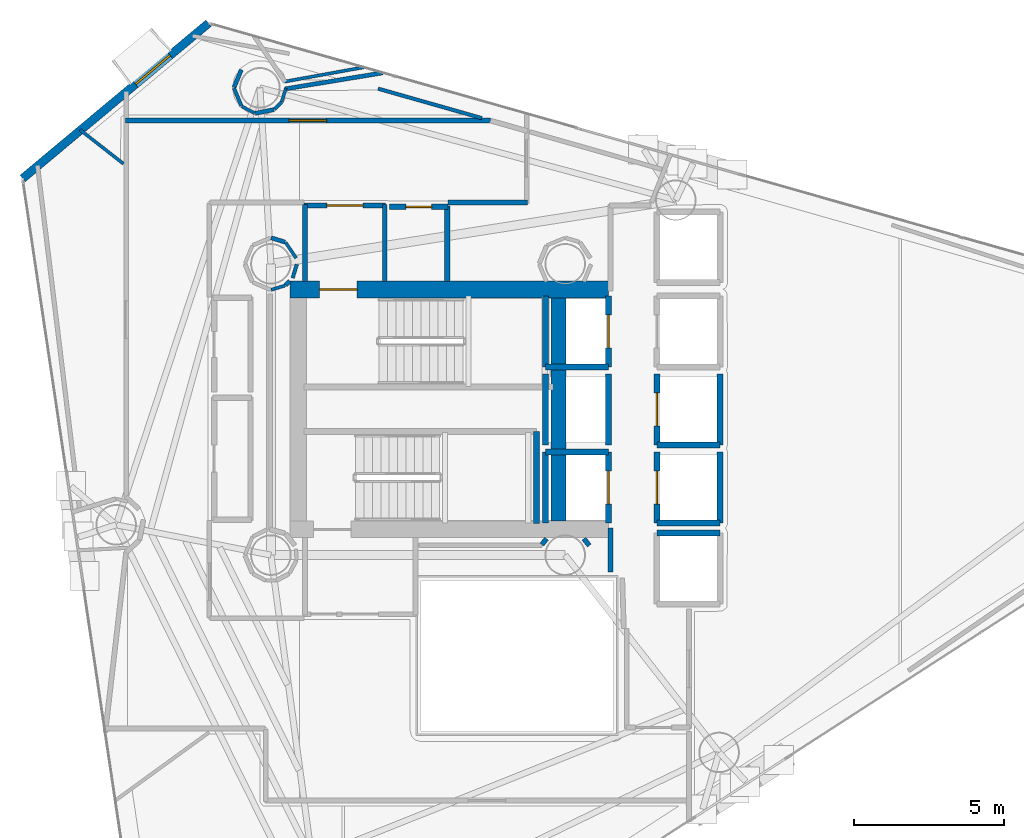
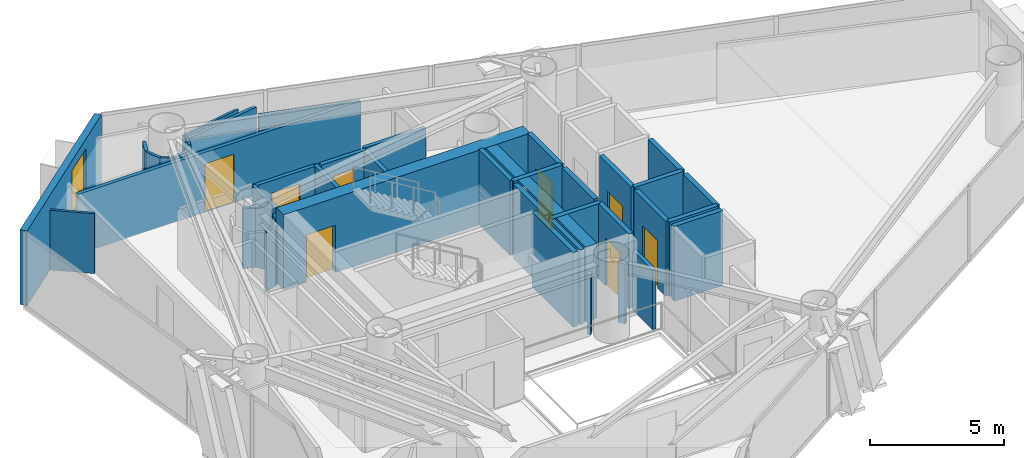
# One storey, part 19 of 22: 44 walls, 8 doors, 1 window, 9 openings.
"""IFC4 building model written with IfcOpenShell, lengths in metres."""

from ifc_helpers import new_model, si_unit, direction, frame, frame_2d, origin, place, context, subcontext, project, spatial, rectangle, extrude, material, layer, layer_set, type_object, element, fill, save


model = new_model("IFC4")

# Units and contexts
model_context = context("Model", 3, precision=1e-05, world=origin(), true_north=direction((0.0, 1.0)))
body_context = subcontext(model_context, "Body", "Model", "MODEL_VIEW")
ifc_project = project(units=[si_unit("LENGTHUNIT", "METRE"), si_unit("AREAUNIT", "SQUARE_METRE"), si_unit("VOLUMEUNIT", "CUBIC_METRE"), si_unit("PLANEANGLEUNIT", "RADIAN"), si_unit("MASSUNIT", "GRAM", prefix="KILO")], contexts=[model_context])

# Site, building, storey
site_placement = place(None, origin())
site = spatial("IfcSite", under=ifc_project, at=site_placement, CompositionType="ELEMENT")
building_placement = place(site_placement, origin())
building = spatial("IfcBuilding", under=site, at=building_placement, Name="Qianvela Tower", CompositionType="ELEMENT")
storey_placement = place(building_placement, frame((0.0, 0.0, 180.89990234375)))
storey = spatial("IfcBuildingStorey", under=building, at=storey_placement, Name="L46", CompositionType="ELEMENT", Elevation=180.89990234375)

# Wall, opening, window
ifc_material_1 = material(Name="Terracotta Cladding on Concrete C40", Category="masonry")
ifc_layer_1 = layer(ifc_material_1, 0.280029296875)
ifc_layer_set_1 = layer_set([ifc_layer_1], Name="Terracotta Cladding on Concrete C40")
wall_type_1 = type_object("IfcWallType", Name="TERRACOTTA-WALL-280", PredefinedType="SOLIDWALL", material=ifc_layer_set_1)
wall_1_placement = place(storey_placement, frame((26.521728515625, 41.5615234375, 0.0), z_axis=(0.0, 0.0, 1.0), x_axis=(-0.767540623089, -0.6410003057, 0.0)))
wall_1 = element("IfcWall", 1, at=wall_1_placement, inside=storey, type_object=wall_type_1, Name="L46 Terracotta Chamfer Facet Wall 3", PredefinedType="SOLIDWALL", context=body_context, shape_type="SweptSolid", body=[
    extrude(rectangle(XDim=8.060791015625, YDim=0.280029296875, at=frame_2d((4.0302734375, 0.0))), origin(), (0.0, 0.0, 1.0), 3.400146484375),
])
opening_1_placement = place(wall_1_placement, frame((1.668212890625, 0.0, 0.85009765625)))
opening_1 = element("IfcOpeningElement", 2, at=opening_1_placement, cuts=wall_1, Name="Opening W-02", PredefinedType="OPENING", context=body_context, shape_type="SweptSolid", body=[
    extrude(rectangle(XDim=1.5, YDim=2.10009765625, at=frame_2d((0.75, 1.050048828125))), frame((0.0, 0.14990234375, 0.0), z_axis=(0.0, -1.0, 0.0), x_axis=(1.0, 0.0, 0.0)), (0.0, 0.0, 1.0), 0.300048828125),
])
ifc_material_2 = material(Name="Thermally Broken Aluminium and Low-E Glass", Category="aluminium")
window_type = type_object("IfcWindowType", Name="WIN-TC-1500x2100", PartitioningType="DOUBLE_PANEL_VERTICAL", PredefinedType="WINDOW", material=ifc_material_2)
window_placement = place(opening_1_placement, origin())
window = element("IfcWindow", 3, at=window_placement, inside=storey, type_object=window_type, Name="L46 Chamfer Facet Window 3.1", OverallHeight=2.10009765625, OverallWidth=1.5, PartitioningType="SINGLE_PANEL", PredefinedType="WINDOW", context=body_context, shape_type="SweptSolid", body=[
    extrude(rectangle(XDim=1.5, YDim=2.10009765625, at=frame_2d((0.75, 1.050048828125))), frame((0.0, 0.030029296875, 0.0), z_axis=(0.0, -1.0, 0.0), x_axis=(1.0, 0.0, 0.0)), (0.0, 0.0, 1.0), 0.06005859375),
])
fill(opening_1, window)

# Wall, opening, door
ifc_material_3 = material(Name="Concrete C60", Category="concrete")
ifc_layer_2 = layer(ifc_material_3, 0.550048828125)
ifc_layer_set_2 = layer_set([ifc_layer_2], Name="Concrete C60")
wall_type_2 = type_object("IfcWallType", Name="WT-CORE-550", PredefinedType="SHEAR", material=ifc_layer_set_2)
wall_2_placement = place(storey_placement, frame((29.22998046875, 32.695068359375, 0.0), z_axis=(0.0, 0.0, 1.0), x_axis=(1.0, 0.0, 0.0)))
wall_2 = element("IfcWall", 4, at=wall_2_placement, inside=storey, type_object=wall_type_2, Name="L46 North Core Shear Wall", PredefinedType="SHEAR", context=body_context, shape_type="SweptSolid", body=[
    extrude(rectangle(XDim=10.6201171875, YDim=0.550048828125, at=frame_2d((5.31005859375, 0.0))), origin(), (0.0, 0.0, 1.0), 3.400146484375),
])
opening_2_placement = place(wall_2_placement, frame((0.9951171875, 0.0, 0.0)))
opening_2 = element("IfcOpeningElement", 5, at=opening_2_placement, cuts=wall_2, Name="Opening D-ST1", PredefinedType="OPENING", context=body_context, shape_type="SweptSolid", body=[
    extrude(rectangle(XDim=1.25, YDim=2.14990234375, at=frame_2d((0.625, 1.074951171875))), frame((0.0, 0.284912109375, 0.0), z_axis=(0.0, -1.0, 0.0), x_axis=(1.0, 0.0, 0.0)), (0.0, 0.0, 1.0), 0.570068359375),
])
ifc_material_4 = material(Name="Galvanised Fire Steel Q355B", Category="steel")
door_type_1 = type_object("IfcDoorType", Name="DT-STAIR-FD90", OperationType="NOTDEFINED", PredefinedType="DOOR", material=ifc_material_4)
door_1_placement = place(opening_2_placement, origin())
door_1 = element("IfcDoor", 6, at=door_1_placement, inside=storey, type_object=door_type_1, Name="L46 Stair ST-1 Exit Door", OperationType="SINGLE_SWING_RIGHT", OverallHeight=2.14990234375, OverallWidth=1.25, PredefinedType="DOOR", context=body_context, shape_type="SweptSolid", body=[
    extrude(rectangle(XDim=1.25, YDim=2.14990234375, at=frame_2d((0.625, 1.074951171875))), frame((0.0, 0.02490234375, 0.0), z_axis=(0.0, -1.0, 0.0), x_axis=(1.0, 0.0, 0.0)), (0.0, 0.0, 1.0), 0.050048828125),
])
fill(opening_2, door_1)

# Walls
wall_3_placement = place(storey_placement, frame((38.179931640625, 24.97998046875, 0.0), z_axis=(0.0, 0.0, 1.0), x_axis=(0.0, 1.0, 0.0)))
element("IfcWall", 7, at=wall_3_placement, inside=storey, type_object=wall_type_2, Name="L46 East Spine Core Shear Wall", PredefinedType="SHEAR", context=body_context, shape_type="SweptSolid", body=[
    extrude(rectangle(XDim=7.43994140625, YDim=0.5, at=frame_2d((3.719970703125, 0.0))), origin(), (0.0, 0.0, 1.0), 3.400146484375),
])
ifc_material_5 = material(Name="Fire-Rated Gypsum and Concrete Block", Category="concrete")
ifc_layer_3 = layer(ifc_material_5, 0.159912109375)
ifc_layer_set_3 = layer_set([ifc_layer_3], Name="Fire-Rated Gypsum and Concrete Block")
wall_type_3 = type_object("IfcWallType", Name="WT-CORR-160", PredefinedType="PARTITIONING", material=ifc_layer_set_3)
wall_4_placement = place(storey_placement, frame((29.73095703125, 32.9580078125, 0.0), z_axis=(0.0, 0.0, 1.0), x_axis=(0.0, 1.0, 0.0)))
element("IfcWall", 8, at=wall_4_placement, inside=storey, type_object=wall_type_3, Name="L46 Partition 2", PredefinedType="PARTITIONING", context=body_context, shape_type="SweptSolid", body=[
    extrude(rectangle(XDim=2.56201171875, YDim=0.159912109375, at=frame_2d((1.281005859375, 0.0))), origin(), (0.0, 0.0, 1.0), 2.72021484375),
])

# Wall, opening, door
wall_5_placement = place(storey_placement, frame((29.699951171875, 35.489013671875, 0.0), z_axis=(0.0, 0.0, 1.0), x_axis=(1.0, 0.0, 0.0)))
wall_5 = element("IfcWall", 9, at=wall_5_placement, inside=storey, type_object=wall_type_3, Name="L46 Partition 3", PredefinedType="PARTITIONING", context=body_context, shape_type="SweptSolid", body=[
    extrude(rectangle(XDim=2.719970703125, YDim=0.159912109375, at=frame_2d((1.35986328125, 0.0))), origin(), (0.0, 0.0, 1.0), 2.72021484375),
])
opening_3_placement = place(wall_5_placement, frame((0.760009765625, 0.0, 0.0)))
opening_3 = element("IfcOpeningElement", 10, at=opening_3_placement, cuts=wall_5, Name="Opening D-LB1", PredefinedType="OPENING", context=body_context, shape_type="SweptSolid", body=[
    extrude(rectangle(XDim=1.199951171875, YDim=2.14990234375, at=frame_2d((0.60009765625, 1.074951171875))), frame((0.0, 0.08984375, 0.0), z_axis=(0.0, -1.0, 0.0), x_axis=(1.0, 0.0, 0.0)), (0.0, 0.0, 1.0), 0.179931640625),
])
ifc_material_6 = material(Name="Glazed Fire-Rated Steel Frame", Category="steel")
door_type_2 = type_object("IfcDoorType", Name="DT-LOBBY-FD90", OperationType="NOTDEFINED", PredefinedType="DOOR", material=ifc_material_6)
door_2_placement = place(opening_3_placement, origin())
door_2 = element("IfcDoor", 11, at=door_2_placement, inside=storey, type_object=door_type_2, Name="L46 Door L46 Firefighting Lobby North to L46 Floor Corridor", OperationType="SINGLE_SWING_RIGHT", OverallHeight=2.14990234375, OverallWidth=1.199951171875, PredefinedType="DOOR", context=body_context, shape_type="SweptSolid", body=[
    extrude(rectangle(XDim=1.199951171875, YDim=2.14990234375, at=frame_2d((0.60009765625, 1.074951171875))), frame((0.0, 0.02490234375, 0.0), z_axis=(0.0, -1.0, 0.0), x_axis=(1.0, 0.0, 0.0)), (0.0, 0.0, 1.0), 0.050048828125),
])
fill(opening_3, door_2)

# Walls
wall_6_placement = place(storey_placement, frame((32.388916015625, 35.52001953125, 0.0), z_axis=(0.0, 0.0, 1.0), x_axis=(0.0, -1.0, 0.0)))
element("IfcWall", 12, at=wall_6_placement, inside=storey, type_object=wall_type_3, Name="L46 Partition 4", PredefinedType="PARTITIONING", context=body_context, shape_type="SweptSolid", body=[
    extrude(rectangle(XDim=2.56201171875, YDim=0.159912109375, at=frame_2d((1.281005859375, 0.0))), origin(), (0.0, 0.0, 1.0), 2.72021484375),
])
wall_7_placement = place(storey_placement, frame((39.910888671875, 23.280029296875, 0.0), z_axis=(0.0, 0.0, 1.0), x_axis=(0.0, 1.0, 0.0)))
element("IfcWall", 13, at=wall_7_placement, inside=storey, type_object=wall_type_3, Name="L46 Partition 10", PredefinedType="PARTITIONING", context=body_context, shape_type="SweptSolid", body=[
    extrude(rectangle(XDim=1.47998046875, YDim=0.159912109375, at=frame_2d((0.739990234375, 0.0))), origin(), (0.0, 0.0, 1.0), 2.72021484375),
])
wall_8_placement = place(storey_placement, frame((39.20166015625, 24.169189453125, 0.0), z_axis=(0.0, 0.0, 1.0), x_axis=(-0.621699046284, 0.783256213413, 0.0)))
element("IfcWall", 14, at=wall_8_placement, inside=storey, type_object=wall_type_3, Name="L46 Partition 43", PredefinedType="PARTITIONING", context=body_context, shape_type="SweptSolid", body=[
    extrude(rectangle(XDim=0.28857421875, YDim=0.159912109375, at=frame_2d((0.144287109375, 0.0))), origin(), (0.0, 0.0, 1.0), 2.72021484375),
])
wall_9_placement = place(storey_placement, frame((37.77783203125, 24.395263671875, 0.0), z_axis=(0.0, 0.0, 1.0), x_axis=(-0.621829236437, -0.783152859097, 0.0)))
element("IfcWall", 15, at=wall_9_placement, inside=storey, type_object=wall_type_3, Name="L46 Partition 46", PredefinedType="PARTITIONING", context=body_context, shape_type="SweptSolid", body=[
    extrude(rectangle(XDim=0.249755859375, YDim=0.159912109375, at=frame_2d((0.125, 0.0))), origin(), (0.0, 0.0, 1.0), 2.72021484375),
])

# Wall, opening, door
wall_10_placement = place(storey_placement, frame((23.75, 38.319091796875, 0.0), z_axis=(0.0, 0.0, 1.0), x_axis=(1.0, 0.0, 0.0)))
wall_10 = element("IfcWall", 16, at=wall_10_placement, inside=storey, type_object=wall_type_3, Name="L46 Partition 50", PredefinedType="PARTITIONING", context=body_context, shape_type="SweptSolid", body=[
    extrude(rectangle(XDim=12.1650390625, YDim=0.159912109375, at=frame_2d((6.08251953125, 0.0))), origin(), (0.0, 0.0, 1.0), 2.72021484375),
])
opening_4_placement = place(wall_10_placement, frame((5.45751953125, 0.0, 0.0)))
opening_4 = element("IfcOpeningElement", 17, at=opening_4_placement, cuts=wall_10, Name="Opening D-LG1", PredefinedType="OPENING", context=body_context, shape_type="SweptSolid", body=[
    extrude(rectangle(XDim=1.25, YDim=2.199951171875, at=frame_2d((0.625, 1.10009765625))), frame((0.0, 0.08984375, 0.0), z_axis=(0.0, -1.0, 0.0), x_axis=(1.0, 0.0, 0.0)), (0.0, 0.0, 1.0), 0.179931640625),
])
ifc_material_7 = material(Name="Anodised Aluminium Acoustic Glass Door", Category="aluminium")
door_type_3 = type_object("IfcDoorType", Name="DT-LOUNGE-1250", OperationType="NOTDEFINED", PredefinedType="DOOR", material=ifc_material_7)
door_3_placement = place(opening_4_placement, origin())
door_3 = element("IfcDoor", 18, at=door_3_placement, inside=storey, type_object=door_type_3, Name="L46 Door Social Sitting Lounge L46-04 to L46 Floor Corridor", OperationType="SINGLE_SWING_LEFT", OverallHeight=2.199951171875, OverallWidth=1.25, PredefinedType="DOOR", context=body_context, shape_type="SweptSolid", body=[
    extrude(rectangle(XDim=1.25, YDim=2.199951171875, at=frame_2d((0.625, 1.10009765625))), frame((0.0, 0.02490234375, 0.0), z_axis=(0.0, -1.0, 0.0), x_axis=(1.0, 0.0, 0.0)), (0.0, 0.0, 1.0), 0.050048828125),
])
fill(opening_4, door_3)

# Walls
wall_11_placement = place(storey_placement, frame((37.14990234375, 35.591064453125, 0.0), z_axis=(0.0, 0.0, 1.0), x_axis=(-1.0, 0.0, 0.0)))
element("IfcWall", 19, at=wall_11_placement, inside=storey, type_object=wall_type_3, Name="L46 Partition 53 seg 1", PredefinedType="PARTITIONING", context=body_context, shape_type="SweptSolid", body=[
    extrude(rectangle(XDim=2.64990234375, YDim=0.159912109375, at=frame_2d((1.324951171875, 0.0))), origin(), (0.0, 0.0, 1.0), 2.72021484375),
])
ifc_material_8 = material(Name="Lightweight Gypsum Room Partition")
ifc_layer_4 = layer(ifc_material_8, 0.10498046875)
ifc_layer_set_4 = layer_set([ifc_layer_4], Name="Lightweight Gypsum Room Partition")
wall_type_4 = type_object("IfcWallType", Name="WT-PART-105", PredefinedType="PARTITIONING", material=ifc_layer_set_4)
wall_12_placement = place(storey_placement, frame((23.689208984375, 36.8828125, 0.0), z_axis=(0.0, 0.0, 1.0), x_axis=(-0.788004213501, 0.615669846188, 0.0)))
element("IfcWall", 20, at=wall_12_placement, inside=storey, type_object=wall_type_4, Name="L46 Partition 102", PredefinedType="PARTITIONING", context=body_context, shape_type="SweptSolid", body=[
    extrude(rectangle(XDim=1.8359375, YDim=0.10498046875, at=frame_2d((0.91796875, 0.0))), origin(), (0.0, 0.0, 1.0), 2.72021484375),
])
wall_13_placement = place(storey_placement, frame((31.685791015625, 40.09326171875, 0.0), z_axis=(0.0, 0.0, 1.0), x_axis=(-0.983955857051, -0.17841208304, 0.0)))
element("IfcWall", 21, at=wall_13_placement, inside=storey, type_object=wall_type_4, Name="L46 Partition 105", PredefinedType="PARTITIONING", context=body_context, shape_type="SweptSolid", body=[
    extrude(rectangle(XDim=2.677978515625, YDim=0.10498046875, at=frame_2d((1.3388671875, 0.0))), origin(), (0.0, 0.0, 1.0), 2.72021484375),
])
wall_14_placement = place(storey_placement, frame((27.6298828125, 38.793212890625, 0.0), z_axis=(0.0, 0.0, 1.0), x_axis=(0.882018256262, -0.471215232798, 0.0)))
element("IfcWall", 22, at=wall_14_placement, inside=storey, type_object=wall_type_4, Name="L46 Partition 111", PredefinedType="PARTITIONING", context=body_context, shape_type="SweptSolid", body=[
    extrude(rectangle(XDim=0.48486328125, YDim=0.10498046875, at=frame_2d((0.242431640625, 0.0))), origin(), (0.0, 0.0, 1.0), 2.72021484375),
])
wall_15_placement = place(storey_placement, frame((28.958984375, 38.93798828125, 0.0), z_axis=(0.0, 0.0, 1.0), x_axis=(0.292866596221, 0.956153312402, 0.0)))
element("IfcWall", 23, at=wall_15_placement, inside=storey, type_object=wall_type_4, Name="L46 Partition 114", PredefinedType="PARTITIONING", context=body_context, shape_type="SweptSolid", body=[
    extrude(rectangle(XDim=0.478515625, YDim=0.10498046875, at=frame_2d((0.2392578125, 0.0))), origin(), (0.0, 0.0, 1.0), 2.72021484375),
])
wall_16_placement = place(storey_placement, frame((29.44140625, 33.74072265625, 0.0), z_axis=(0.0, 0.0, 1.0), x_axis=(-0.559619584068, 0.828749613048, 0.0)))
element("IfcWall", 24, at=wall_16_placement, inside=storey, type_object=wall_type_4, Name="L46 Partition 123", PredefinedType="PARTITIONING", context=body_context, shape_type="SweptSolid", body=[
    extrude(rectangle(XDim=0.628662109375, YDim=0.10498046875, at=frame_2d((0.314453125, 0.0))), origin(), (0.0, 0.0, 1.0), 2.72021484375),
])
wall_17_placement = place(storey_placement, frame((28.60888671875, 32.685302734375, 0.0), z_axis=(0.0, 0.0, 1.0), x_axis=(0.956893067978, 0.290440452511, 0.0)))
element("IfcWall", 25, at=wall_17_placement, inside=storey, type_object=wall_type_4, Name="L46 Partition 129", PredefinedType="PARTITIONING", context=body_context, shape_type="SweptSolid", body=[
    extrude(rectangle(XDim=0.485107421875, YDim=0.10498046875, at=frame_2d((0.24267578125, 0.0))), origin(), (0.0, 0.0, 1.0), 2.72021484375),
])
ifc_material_9 = material(Name="Insulated Gypsum Stud Partition")
ifc_layer_5 = layer(ifc_material_9, 0.1201171875)
ifc_layer_set_5 = layer_set([ifc_layer_5], Name="Insulated Gypsum Stud Partition")
wall_type_5 = type_object("IfcWallType", Name="WT-PART-120", PredefinedType="PARTITIONING", material=ifc_layer_set_5)
wall_18_placement = place(storey_placement, frame((27.371337890625, 39.399169921875, 0.0), z_axis=(0.0, 0.0, 1.0), x_axis=(0.38268910224, -0.923877183952, 0.0)))
element("IfcWall", 26, at=wall_18_placement, inside=storey, type_object=wall_type_5, Name="L46 Partition 110", PredefinedType="PARTITIONING", context=body_context, shape_type="SweptSolid", body=[
    extrude(rectangle(XDim=0.63916015625, YDim=0.1201171875, at=frame_2d((0.319580078125, 0.0))), origin(), (0.0, 0.0, 1.0), 2.72021484375),
])
wall_19_placement = place(storey_placement, frame((28.720703125, 38.69482421875, 0.0), z_axis=(0.0, 0.0, 1.0), x_axis=(0.707106781187, 0.707106781187, 0.0)))
element("IfcWall", 27, at=wall_19_placement, inside=storey, type_object=wall_type_5, Name="L46 Partition 113", PredefinedType="PARTITIONING", context=body_context, shape_type="SweptSolid", body=[
    extrude(rectangle(XDim=0.325927734375, YDim=0.1201171875, at=frame_2d((0.1630859375, 0.0))), origin(), (0.0, 0.0, 1.0), 2.72021484375),
])
wall_20_placement = place(storey_placement, frame((32.170654296875, 39.382568359375, 0.0), z_axis=(0.0, 0.0, 1.0), x_axis=(0.96186181525, -0.273535826471, 0.0)))
element("IfcWall", 28, at=wall_20_placement, inside=storey, type_object=wall_type_5, Name="L46 Partition 116", PredefinedType="PARTITIONING", context=body_context, shape_type="SweptSolid", body=[
    extrude(rectangle(XDim=3.591552734375, YDim=0.1201171875, at=frame_2d((1.7958984375, 0.0))), origin(), (0.0, 0.0, 1.0), 2.72021484375),
])
wall_21_placement = place(storey_placement, frame((29.323974609375, 33.076904296875, 0.0), z_axis=(0.0, 0.0, 1.0), x_axis=(0.292866596221, 0.956153312402, 0.0)))
element("IfcWall", 29, at=wall_21_placement, inside=storey, type_object=wall_type_5, Name="L46 Partition 131", PredefinedType="PARTITIONING", context=body_context, shape_type="SweptSolid", body=[
    extrude(rectangle(XDim=0.478515625, YDim=0.1201171875, at=frame_2d((0.2392578125, 0.0))), origin(), (0.0, 0.0, 1.0), 2.72021484375),
])

# Wall, opening, door
ifc_material_10 = material(Name="Moisture-Resistant Acoustic Plumbing Wall")
ifc_layer_6 = layer(ifc_material_10, 0.175048828125)
ifc_layer_set_6 = layer_set([ifc_layer_6], Name="Moisture-Resistant Acoustic Plumbing Wall")
wall_type_6 = type_object("IfcWallType", Name="WT-PLUMB-175", PredefinedType="PLUMBINGWALL", material=ifc_layer_set_6)
wall_22_placement = place(storey_placement, frame((32.550048828125, 35.448974609375, 0.0), z_axis=(0.0, 0.0, 1.0), x_axis=(1.0, 0.0, 0.0)))
wall_22 = element("IfcWall", 30, at=wall_22_placement, inside=storey, type_object=wall_type_6, Name="L46 Partition 22", PredefinedType="PLUMBINGWALL", context=body_context, shape_type="SweptSolid", body=[
    extrude(rectangle(XDim=1.949951171875, YDim=0.175048828125, at=frame_2d((0.97509765625, 0.0))), origin(), (0.0, 0.0, 1.0), 2.72021484375),
])
opening_5_placement = place(wall_22_placement, frame((0.544921875, 0.0, 0.0)))
opening_5 = element("IfcOpeningElement", 31, at=opening_5_placement, cuts=wall_22, Name="Opening D-WC1", PredefinedType="OPENING", context=body_context, shape_type="SweptSolid", body=[
    extrude(rectangle(XDim=0.860107421875, YDim=2.050048828125, at=frame_2d((0.43017578125, 1.02490234375))), frame((0.0, 0.097412109375, 0.0), z_axis=(0.0, -1.0, 0.0), x_axis=(1.0, 0.0, 0.0)), (0.0, 0.0, 1.0), 0.195068359375),
])
ifc_material_11 = material(Name="Moisture-Sealed Acoustic Timber Door", Category="wood")
door_type_4 = type_object("IfcDoorType", Name="DT-WC-860", OperationType="NOTDEFINED", PredefinedType="DOOR", material=ifc_material_11)
door_4_placement = place(opening_5_placement, origin())
door_4 = element("IfcDoor", 32, at=door_4_placement, inside=storey, type_object=door_type_4, Name="L46 Door L46 Accessible WC to L46 Floor Corridor", OperationType="SINGLE_SWING_LEFT", OverallHeight=2.050048828125, OverallWidth=0.860107421875, PredefinedType="DOOR", context=body_context, shape_type="SweptSolid", body=[
    extrude(rectangle(XDim=0.860107421875, YDim=2.050048828125, at=frame_2d((0.43017578125, 1.02490234375))), frame((0.0, 0.02490234375, 0.0), z_axis=(0.0, -1.0, 0.0), x_axis=(1.0, 0.0, 0.0)), (0.0, 0.0, 1.0), 0.050048828125),
])
fill(opening_5, door_4)

# Walls
wall_23_placement = place(storey_placement, frame((34.468994140625, 35.47998046875, 0.0), z_axis=(0.0, 0.0, 1.0), x_axis=(0.0, -1.0, 0.0)))
element("IfcWall", 33, at=wall_23_placement, inside=storey, type_object=wall_type_6, Name="L46 Partition 23", PredefinedType="PLUMBINGWALL", context=body_context, shape_type="SweptSolid", body=[
    extrude(rectangle(XDim=2.52197265625, YDim=0.175048828125, at=frame_2d((1.260986328125, 0.0))), origin(), (0.0, 0.0, 1.0), 2.72021484375),
])
ifc_material_12 = material(Name="Acoustic Double Gypsum Stud Partition")
ifc_layer_7 = layer(ifc_material_12, 0.139892578125)
ifc_layer_set_7 = layer_set([ifc_layer_7], Name="Acoustic Double Gypsum Stud Partition")
wall_type_7 = type_object("IfcWallType", Name="WT-ROOM-140", PredefinedType="PARTITIONING", material=ifc_layer_set_7)
for number, where, z_axis, x_axis, name in (
    (34, (27.615966796875, 40.01318359375, 0.0), (0.0, 0.0, 1.0), (-0.382824178437, -0.923821221018, 0.0), "L46 Partition 109"),
    (35, (28.078125, 38.5615234375, 0.0), (0.0, 0.0, 1.0), (0.98075661624, 0.195234371211, 0.0), "L46 Partition 112"),
):
    element("IfcWall", number, at=place(storey_placement, frame(where, z_axis=z_axis, x_axis=x_axis)), inside=storey, type_object=wall_type_7, Name=name, PredefinedType="PARTITIONING", context=body_context, shape_type="SweptSolid", body=[
        extrude(rectangle(XDim=0.638916015625, YDim=0.139892578125, at=frame_2d((0.3193359375, 0.0))), origin(), (0.0, 0.0, 1.0), 2.72021484375),
    ])
wall_24_placement = place(storey_placement, frame((29.0693359375, 39.37353515625, 0.0), z_axis=(0.0, 0.0, 1.0), x_axis=(0.986723423686, 0.162409621481, 0.0)))
element("IfcWall", 36, at=wall_24_placement, inside=storey, type_object=wall_type_7, Name="L46 Partition 115 seg 1", PredefinedType="PARTITIONING", context=body_context, shape_type="SweptSolid", body=[
    extrude(rectangle(XDim=3.30419921875, YDim=0.139892578125, at=frame_2d((1.652099609375, 0.0))), origin(), (0.0, 0.0, 1.0), 2.72021484375),
])
wall_25_placement = place(storey_placement, frame((29.072998046875, 34.27392578125, 0.0), z_axis=(0.0, 0.0, 1.0), x_axis=(-0.956893067978, 0.290440452511, 0.0)))
element("IfcWall", 37, at=wall_25_placement, inside=storey, type_object=wall_type_7, Name="L46 Partition 124", PredefinedType="PARTITIONING", context=body_context, shape_type="SweptSolid", body=[
    extrude(rectangle(XDim=0.485107421875, YDim=0.139892578125, at=frame_2d((0.24267578125, 0.0))), origin(), (0.0, 0.0, 1.0), 2.72021484375),
])
wall_26_placement = place(storey_placement, frame((29.085693359375, 32.833740234375, 0.0), z_axis=(0.0, 0.0, 1.0), x_axis=(0.707106781187, 0.707106781187, 0.0)))
element("IfcWall", 38, at=wall_26_placement, inside=storey, type_object=wall_type_7, Name="L46 Partition 130", PredefinedType="PARTITIONING", context=body_context, shape_type="SweptSolid", body=[
    extrude(rectangle(XDim=0.2041015625, YDim=0.139892578125, at=frame_2d((0.10205078125, 0.0))), origin(), (0.0, 0.0, 1.0), 2.72021484375),
])
ifc_material_13 = material(Name="Concrete C50", Category="concrete")
ifc_layer_8 = layer(ifc_material_13, 0.199951171875)
ifc_layer_set_8 = layer_set([ifc_layer_8], Name="Concrete C50")
wall_type_8 = type_object("IfcWallType", Name="WT-SHAFT-200", PredefinedType="SOLIDWALL", material=ifc_layer_set_8)
wall_27_placement = place(storey_placement, frame((37.449951171875, 24.89990234375, 0.0), z_axis=(0.0, 0.0, 1.0), x_axis=(0.0, 1.0, 0.0)))
element("IfcWall", 39, at=wall_27_placement, inside=storey, type_object=wall_type_8, Name="L46 Stair ST-2 East Wall", PredefinedType="SOLIDWALL", context=body_context, shape_type="SweptSolid", body=[
    extrude(rectangle(XDim=3.06005859375, YDim=0.199951171875, at=frame_2d((1.530029296875, 0.0))), origin(), (0.0, 0.0, 1.0), 3.400146484375),
])

# Wall, opening, door
wall_28_placement = place(storey_placement, frame((39.85009765625, 30.1201171875, 0.0), z_axis=(0.0, 0.0, 1.0), x_axis=(0.0, 1.0, 0.0)))
wall_28 = element("IfcWall", 40, at=wall_28_placement, inside=storey, type_object=wall_type_8, Name="L46 Lift FL-1 E Shaft Wall", PredefinedType="SOLIDWALL", context=body_context, shape_type="SweptSolid", body=[
    extrude(rectangle(XDim=2.35986328125, YDim=0.199951171875, at=frame_2d((1.179931640625, 0.0))), origin(), (0.0, 0.0, 1.0), 3.400146484375),
])
opening_6_placement = place(wall_28_placement, frame((0.6298828125, 0.0, 0.0)))
opening_6 = element("IfcOpeningElement", 41, at=opening_6_placement, cuts=wall_28, Name="Opening LD-01", PredefinedType="OPENING", context=body_context, shape_type="SweptSolid", body=[
    extrude(rectangle(XDim=1.10009765625, YDim=2.14990234375, at=frame_2d((0.550048828125, 1.074951171875))), frame((0.0, 0.10986328125, 0.0), z_axis=(0.0, -1.0, 0.0), x_axis=(1.0, 0.0, 0.0)), (0.0, 0.0, 1.0), 0.219970703125),
])
ifc_material_14 = material(Name="Brushed Stainless Steel Lift Landing Door", Category="steel")
door_type_5 = type_object("IfcDoorType", Name="DT-LIFT-SLIDE-1100", OperationType="SLIDING_TO_LEFT", PredefinedType="DOOR", material=ifc_material_14)
door_5_placement = place(opening_6_placement, origin())
door_5 = element("IfcDoor", 42, at=door_5_placement, inside=storey, type_object=door_type_5, Name="L46 Lift FL-1 Sliding Landing Door", OperationType="SLIDING_TO_LEFT", OverallHeight=2.14990234375, OverallWidth=1.10009765625, PredefinedType="DOOR", context=body_context, shape_type="SweptSolid", body=[
    extrude(rectangle(XDim=1.10009765625, YDim=2.14990234375, at=frame_2d((0.550048828125, 1.074951171875))), frame((0.0, 0.02490234375, 0.0), z_axis=(0.0, -1.0, 0.0), x_axis=(1.0, 0.0, 0.0)), (0.0, 0.0, 1.0), 0.050048828125),
])
fill(opening_6, door_5)

# Walls
wall_29_placement = place(storey_placement, frame((37.75, 30.1201171875, 0.0), z_axis=(0.0, 0.0, 1.0), x_axis=(0.0, 1.0, 0.0)))
element("IfcWall", 43, at=wall_29_placement, inside=storey, type_object=wall_type_8, Name="L46 Lift FL-1 W Shaft Wall", PredefinedType="SOLIDWALL", context=body_context, shape_type="SweptSolid", body=[
    extrude(rectangle(XDim=2.35986328125, YDim=0.199951171875, at=frame_2d((1.179931640625, 0.0))), origin(), (0.0, 0.0, 1.0), 3.400146484375),
])
wall_30_placement = place(storey_placement, frame((37.75, 30.1201171875, 0.0), z_axis=(0.0, 0.0, 1.0), x_axis=(1.0, 0.0, 0.0)))
element("IfcWall", 44, at=wall_30_placement, inside=storey, type_object=wall_type_8, Name="L46 Lift FL-1 S Shaft Wall", PredefinedType="SOLIDWALL", context=body_context, shape_type="SweptSolid", body=[
    extrude(rectangle(XDim=2.10009765625, YDim=0.199951171875, at=frame_2d((1.050048828125, 0.0))), origin(), (0.0, 0.0, 1.0), 3.400146484375),
])

# Wall, opening, door
wall_31_placement = place(storey_placement, frame((39.85009765625, 24.919921875, 0.0), z_axis=(0.0, 0.0, 1.0), x_axis=(0.0, 1.0, 0.0)))
wall_31 = element("IfcWall", 45, at=wall_31_placement, inside=storey, type_object=wall_type_8, Name="L46 Lift FL-2 E Shaft Wall", PredefinedType="SOLIDWALL", context=body_context, shape_type="SweptSolid", body=[
    extrude(rectangle(XDim=2.360107421875, YDim=0.199951171875, at=frame_2d((1.18017578125, 0.0))), origin(), (0.0, 0.0, 1.0), 3.400146484375),
])
opening_7_placement = place(wall_31_placement, frame((0.6298828125, 0.0, 0.0)))
opening_7 = element("IfcOpeningElement", 46, at=opening_7_placement, cuts=wall_31, Name="Opening LD-01", PredefinedType="OPENING", context=body_context, shape_type="SweptSolid", body=[
    extrude(rectangle(XDim=1.10009765625, YDim=2.14990234375, at=frame_2d((0.550048828125, 1.074951171875))), frame((0.0, 0.10986328125, 0.0), z_axis=(0.0, -1.0, 0.0), x_axis=(1.0, 0.0, 0.0)), (0.0, 0.0, 1.0), 0.219970703125),
])
door_6_placement = place(opening_7_placement, origin())
door_6 = element("IfcDoor", 47, at=door_6_placement, inside=storey, type_object=door_type_5, Name="L46 Lift FL-2 Sliding Landing Door", OperationType="SLIDING_TO_LEFT", OverallHeight=2.14990234375, OverallWidth=1.10009765625, PredefinedType="DOOR", context=body_context, shape_type="SweptSolid", body=[
    extrude(rectangle(XDim=1.10009765625, YDim=2.14990234375, at=frame_2d((0.550048828125, 1.074951171875))), frame((0.0, 0.02490234375, 0.0), z_axis=(0.0, -1.0, 0.0), x_axis=(1.0, 0.0, 0.0)), (0.0, 0.0, 1.0), 0.050048828125),
])
fill(opening_7, door_6)

# Walls
wall_32_placement = place(storey_placement, frame((37.75, 24.919921875, 0.0), z_axis=(0.0, 0.0, 1.0), x_axis=(0.0, 1.0, 0.0)))
element("IfcWall", 48, at=wall_32_placement, inside=storey, type_object=wall_type_8, Name="L46 Lift FL-2 W Shaft Wall", PredefinedType="SOLIDWALL", context=body_context, shape_type="SweptSolid", body=[
    extrude(rectangle(XDim=2.360107421875, YDim=0.199951171875, at=frame_2d((1.18017578125, 0.0))), origin(), (0.0, 0.0, 1.0), 3.400146484375),
])
wall_33_placement = place(storey_placement, frame((37.75, 27.280029296875, 0.0), z_axis=(0.0, 0.0, 1.0), x_axis=(1.0, 0.0, 0.0)))
element("IfcWall", 49, at=wall_33_placement, inside=storey, type_object=wall_type_8, Name="L46 Lift FL-2 N Shaft Wall", PredefinedType="SOLIDWALL", context=body_context, shape_type="SweptSolid", body=[
    extrude(rectangle(XDim=2.10009765625, YDim=0.199951171875, at=frame_2d((1.050048828125, 0.0))), origin(), (0.0, 0.0, 1.0), 3.400146484375),
])
wall_34_placement = place(storey_placement, frame((43.550048828125, 27.52001953125, 0.0), z_axis=(0.0, 0.0, 1.0), x_axis=(0.0, 1.0, 0.0)))
element("IfcWall", 50, at=wall_34_placement, inside=storey, type_object=wall_type_8, Name="L46 Lift PL-M2 E Shaft Wall", PredefinedType="SOLIDWALL", context=body_context, shape_type="SweptSolid", body=[
    extrude(rectangle(XDim=2.35986328125, YDim=0.199951171875, at=frame_2d((1.179931640625, 0.0))), origin(), (0.0, 0.0, 1.0), 3.400146484375),
])

# Wall, opening, door
wall_35_placement = place(storey_placement, frame((41.449951171875, 27.52001953125, 0.0), z_axis=(0.0, 0.0, 1.0), x_axis=(0.0, 1.0, 0.0)))
wall_35 = element("IfcWall", 51, at=wall_35_placement, inside=storey, type_object=wall_type_8, Name="L46 Lift PL-M2 W Shaft Wall", PredefinedType="SOLIDWALL", context=body_context, shape_type="SweptSolid", body=[
    extrude(rectangle(XDim=2.35986328125, YDim=0.199951171875, at=frame_2d((1.179931640625, 0.0))), origin(), (0.0, 0.0, 1.0), 3.400146484375),
])
opening_8_placement = place(wall_35_placement, frame((0.6298828125, 0.0, 0.0)))
opening_8 = element("IfcOpeningElement", 52, at=opening_8_placement, cuts=wall_35, Name="Opening LD-01", PredefinedType="OPENING", context=body_context, shape_type="SweptSolid", body=[
    extrude(rectangle(XDim=1.10009765625, YDim=2.14990234375, at=frame_2d((0.550048828125, 1.074951171875))), frame((0.0, 0.10986328125, 0.0), z_axis=(0.0, -1.0, 0.0), x_axis=(1.0, 0.0, 0.0)), (0.0, 0.0, 1.0), 0.219970703125),
])
door_7_placement = place(opening_8_placement, origin())
door_7 = element("IfcDoor", 53, at=door_7_placement, inside=storey, type_object=door_type_5, Name="L46 Lift PL-M2 Sliding Landing Door", OperationType="SLIDING_TO_LEFT", OverallHeight=2.14990234375, OverallWidth=1.10009765625, PredefinedType="DOOR", context=body_context, shape_type="SweptSolid", body=[
    extrude(rectangle(XDim=1.10009765625, YDim=2.14990234375, at=frame_2d((0.550048828125, 1.074951171875))), frame((0.0, 0.02490234375, 0.0), z_axis=(0.0, -1.0, 0.0), x_axis=(1.0, 0.0, 0.0)), (0.0, 0.0, 1.0), 0.050048828125),
])
fill(opening_8, door_7)

# Walls
wall_36_placement = place(storey_placement, frame((41.449951171875, 27.52001953125, 0.0), z_axis=(0.0, 0.0, 1.0), x_axis=(1.0, 0.0, 0.0)))
element("IfcWall", 54, at=wall_36_placement, inside=storey, type_object=wall_type_8, Name="L46 Lift PL-M2 S Shaft Wall", PredefinedType="SOLIDWALL", context=body_context, shape_type="SweptSolid", body=[
    extrude(rectangle(XDim=2.10009765625, YDim=0.199951171875, at=frame_2d((1.050048828125, 0.0))), origin(), (0.0, 0.0, 1.0), 3.400146484375),
])
wall_37_placement = place(storey_placement, frame((43.550048828125, 24.919921875, 0.0), z_axis=(0.0, 0.0, 1.0), x_axis=(0.0, 1.0, 0.0)))
element("IfcWall", 55, at=wall_37_placement, inside=storey, type_object=wall_type_8, Name="L46 Lift PL-M3 E Shaft Wall", PredefinedType="SOLIDWALL", context=body_context, shape_type="SweptSolid", body=[
    extrude(rectangle(XDim=2.360107421875, YDim=0.199951171875, at=frame_2d((1.18017578125, 0.0))), origin(), (0.0, 0.0, 1.0), 3.400146484375),
])

# Wall, opening, door
wall_38_placement = place(storey_placement, frame((41.449951171875, 24.919921875, 0.0), z_axis=(0.0, 0.0, 1.0), x_axis=(0.0, 1.0, 0.0)))
wall_38 = element("IfcWall", 56, at=wall_38_placement, inside=storey, type_object=wall_type_8, Name="L46 Lift PL-M3 W Shaft Wall", PredefinedType="SOLIDWALL", context=body_context, shape_type="SweptSolid", body=[
    extrude(rectangle(XDim=2.360107421875, YDim=0.199951171875, at=frame_2d((1.18017578125, 0.0))), origin(), (0.0, 0.0, 1.0), 3.400146484375),
])
opening_9_placement = place(wall_38_placement, frame((0.6298828125, 0.0, 0.0)))
opening_9 = element("IfcOpeningElement", 57, at=opening_9_placement, cuts=wall_38, Name="Opening LD-01", PredefinedType="OPENING", context=body_context, shape_type="SweptSolid", body=[
    extrude(rectangle(XDim=1.10009765625, YDim=2.14990234375, at=frame_2d((0.550048828125, 1.074951171875))), frame((0.0, 0.10986328125, 0.0), z_axis=(0.0, -1.0, 0.0), x_axis=(1.0, 0.0, 0.0)), (0.0, 0.0, 1.0), 0.219970703125),
])
door_8_placement = place(opening_9_placement, origin())
door_8 = element("IfcDoor", 58, at=door_8_placement, inside=storey, type_object=door_type_5, Name="L46 Lift PL-M3 Sliding Landing Door", OperationType="SLIDING_TO_LEFT", OverallHeight=2.14990234375, OverallWidth=1.10009765625, PredefinedType="DOOR", context=body_context, shape_type="SweptSolid", body=[
    extrude(rectangle(XDim=1.10009765625, YDim=2.14990234375, at=frame_2d((0.550048828125, 1.074951171875))), frame((0.0, 0.02490234375, 0.0), z_axis=(0.0, -1.0, 0.0), x_axis=(1.0, 0.0, 0.0)), (0.0, 0.0, 1.0), 0.050048828125),
])
fill(opening_9, door_8)

# Walls
wall_39_placement = place(storey_placement, frame((41.449951171875, 24.919921875, 0.0), z_axis=(0.0, 0.0, 1.0), x_axis=(1.0, 0.0, 0.0)))
element("IfcWall", 59, at=wall_39_placement, inside=storey, type_object=wall_type_8, Name="L46 Lift PL-M3 S Shaft Wall", PredefinedType="SOLIDWALL", context=body_context, shape_type="SweptSolid", body=[
    extrude(rectangle(XDim=2.10009765625, YDim=0.199951171875, at=frame_2d((1.050048828125, 0.0))), origin(), (0.0, 0.0, 1.0), 3.400146484375),
])
for number, where, z_axis, x_axis, name in (
    (60, (39.85009765625, 27.52001953125, 0.0), (0.0, 0.0, 1.0), (0.0, 1.0, 0.0), "L46 Lift PL-H1 E Shaft Wall"),
    (61, (37.75, 27.52001953125, 0.0), (0.0, 0.0, 1.0), (0.0, 1.0, 0.0), "L46 Lift PL-H1 W Shaft Wall"),
):
    element("IfcWall", number, at=place(storey_placement, frame(where, z_axis=z_axis, x_axis=x_axis)), inside=storey, type_object=wall_type_8, Name=name, PredefinedType="SOLIDWALL", context=body_context, shape_type="SweptSolid", body=[
        extrude(rectangle(XDim=2.35986328125, YDim=0.199951171875, at=frame_2d((1.179931640625, 0.0))), origin(), (0.0, 0.0, 1.0), 3.400146484375),
    ])
wall_40_placement = place(storey_placement, frame((41.449951171875, 24.580078125, 0.0), z_axis=(0.0, 0.0, 1.0), x_axis=(1.0, 0.0, 0.0)))
element("IfcWall", 62, at=wall_40_placement, inside=storey, type_object=wall_type_8, Name="L46 Lift PL-H2 N Shaft Wall", PredefinedType="SOLIDWALL", context=body_context, shape_type="SweptSolid", body=[
    extrude(rectangle(XDim=2.10009765625, YDim=0.199951171875, at=frame_2d((1.050048828125, 0.0))), origin(), (0.0, 0.0, 1.0), 3.400146484375),
])

save(model, "model.ifc")
